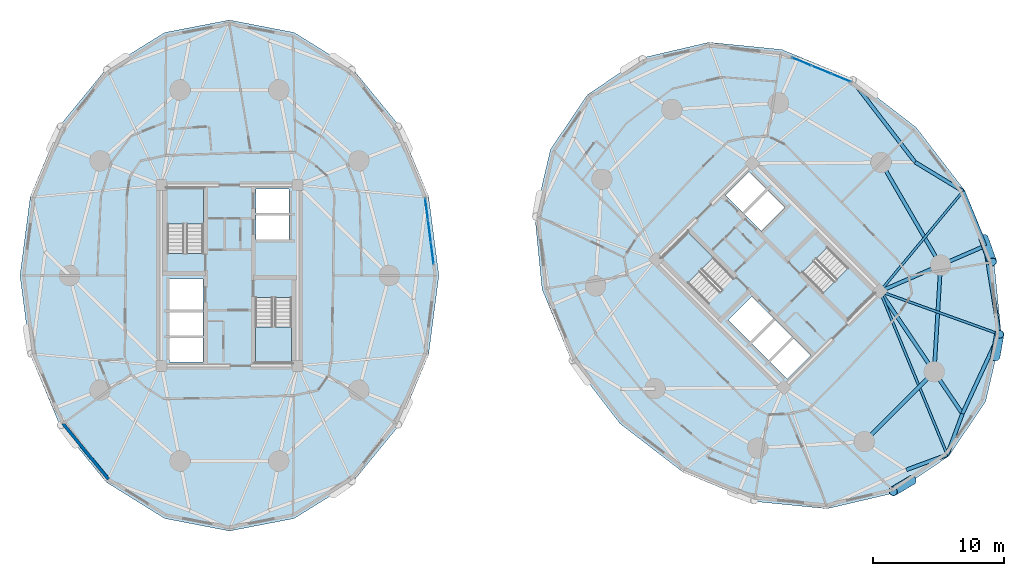
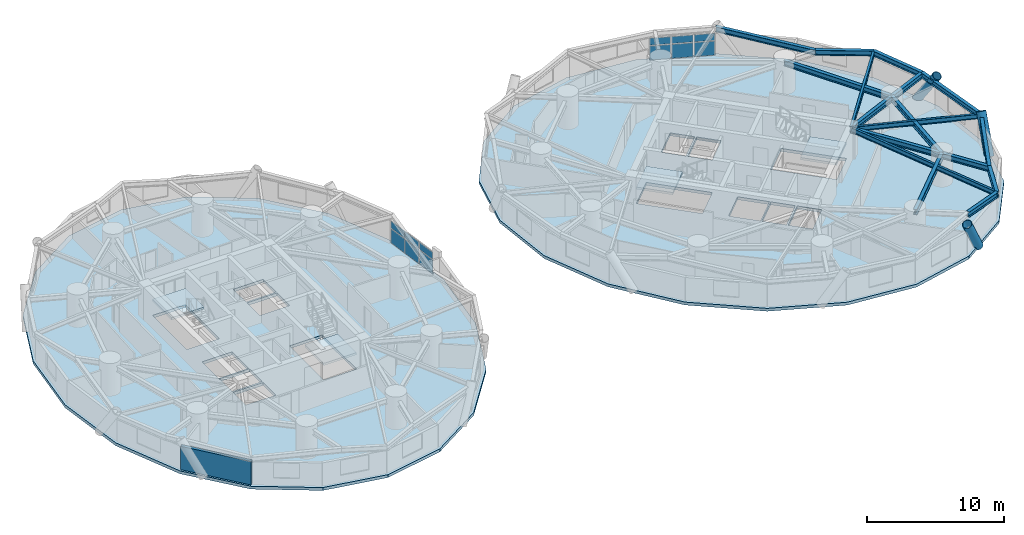
# One storey, part 7 of 16: 15 beams, 12 plates, 6 slabs, 3 members, 1 wall, 6 elements without a shape of their own.
"""IFC4 building model written with IfcOpenShell, lengths in metres."""

from ifc_helpers import new_model, si_unit, direction, frame, frame_2d, origin, origin_2d, place, context, subcontext, project, spatial, polyline, rectangle, hollow_circle, i_section, outline, extrude, source, transform, mapped, material, layer, layer_set, material_profile, profile_set, type_object, element, aggregate, save


model = new_model("IFC4")

# Units and contexts
model_context = context("Model", 3, precision=1e-05, world=origin(), true_north=direction((0.0, 1.0)))
body_context = subcontext(model_context, "Body", "Model", "MODEL_VIEW")
ifc_project = project(units=[si_unit("LENGTHUNIT", "METRE"), si_unit("AREAUNIT", "SQUARE_METRE"), si_unit("VOLUMEUNIT", "CUBIC_METRE"), si_unit("PLANEANGLEUNIT", "RADIAN"), si_unit("MASSUNIT", "GRAM", prefix="KILO")], contexts=[model_context])

# Site, building, storey
site_placement = place(None, origin())
site = spatial("IfcSite", under=ifc_project, at=site_placement, CompositionType="ELEMENT")
building_placement = place(site_placement, origin())
building = spatial("IfcBuilding", under=site, at=building_placement, Name="Cununo Teusaquillo Station Towers", CompositionType="ELEMENT")
storey_placement = place(building_placement, frame((0.0, 0.0, 62.739990234375)))
storey = spatial("IfcBuildingStorey", under=building, at=storey_placement, Name="L19", CompositionType="ELEMENT", Elevation=62.739990234375)

# Beams
ifc_material_1 = material(Name="Steel ASTM A572 Grade 50", Category="steel")
ifc_material_profile_1 = material_profile(ifc_material_1, i_section(OverallWidth=0.180908203125, OverallDepth=0.4169921875, WebThickness=0.010986328125, FlangeThickness=0.018310546875, FilletRadius=0.012939453125, at=origin_2d()), Name="W16X57")
ifc_profile_set_1 = profile_set([ifc_material_profile_1], Name="Steel ASTM A572 Grade 50")
beam_type_1 = type_object("IfcBeamType", Name="BM-JOIST-1", PredefinedType="JOIST", material=ifc_profile_set_1)
beam_1_placement = place(storey_placement, frame((66.024169921875, 23.29443359375, 2.361572265625), z_axis=(0.380485864505, -0.924786735908, 0.0), x_axis=(0.924786735908, 0.380485864505, 0.0)))
element("IfcBeam", 1, at=beam_1_placement, inside=storey, type_object=beam_type_1, Name="L19 Tower B Radial Spandrel Joist V15", PredefinedType="JOIST", context=body_context, shape_type="SweptSolid", body=[
    extrude(i_section(OverallWidth=0.180908203125, OverallDepth=0.4169921875, WebThickness=0.010986328125, FlangeThickness=0.018310546875, FilletRadius=0.012939453125, at=origin_2d()), origin(), (0.0, 0.0, 1.0), 13.44580078125),
])
beam_2_placement = place(storey_placement, frame((66.024169921875, 23.29443359375, 2.361572265625), z_axis=(0.941082771055, -0.338176312038, 0.0), x_axis=(0.338176312038, 0.941082771055, 0.0)))
element("IfcBeam", 2, at=beam_2_placement, inside=storey, type_object=beam_type_1, Name="L19 Tower B Radial Spandrel Joist V17", PredefinedType="JOIST", context=body_context, shape_type="SweptSolid", body=[
    extrude(i_section(OverallWidth=0.180908203125, OverallDepth=0.4169921875, WebThickness=0.010986328125, FlangeThickness=0.018310546875, FilletRadius=0.012939453125, at=origin_2d()), origin(), (0.0, 0.0, 1.0), 9.646484375),
])
beam_3_placement = place(storey_placement, frame((66.024169921875, 23.29443359375, 2.361572265625), z_axis=(0.638372238196, 0.769727799615, 0.0), x_axis=(-0.769727799615, 0.638372238196, 0.0)))
element("IfcBeam", 3, at=beam_3_placement, inside=storey, type_object=beam_type_1, Name="L19 Tower B Radial Spandrel Joist V19", PredefinedType="JOIST", context=body_context, shape_type="SweptSolid", body=[
    extrude(i_section(OverallWidth=0.180908203125, OverallDepth=0.4169921875, WebThickness=0.010986328125, FlangeThickness=0.018310546875, FilletRadius=0.012939453125, at=origin_2d()), origin(), (0.0, 0.0, 1.0), 9.895263671875),
])
ifc_material_2 = material(Name="Steel ASTM A572 Grade 50", Category="steel")
ifc_material_profile_2 = material_profile(ifc_material_2, i_section(OverallWidth=0.280029296875, OverallDepth=0.462890625, WebThickness=0.0107421875, FlangeThickness=0.017333984375, FilletRadius=0.013916015625, at=origin_2d()), Name="W18X76")
ifc_profile_set_2 = profile_set([ifc_material_profile_2], Name="Steel ASTM A572 Grade 50")
beam_type_2 = type_object("IfcBeamType", Name="BM-RAD-G1", PredefinedType="BEAM", material=ifc_profile_set_2)
beam_4_placement = place(storey_placement, frame((66.024169921875, 23.29443359375, 2.338623046875), z_axis=(0.558572297481, -0.82945583878, 0.0), x_axis=(0.82945583878, 0.558572297481, 0.0)))
element("IfcBeam", 4, at=beam_4_placement, inside=storey, type_object=beam_type_2, Name="L19 Tower B Continuous Overhanging Radial Girder 09", PredefinedType="BEAM", context=body_context, shape_type="SweptSolid", body=[
    extrude(i_section(OverallWidth=0.280029296875, OverallDepth=0.462890625, WebThickness=0.0107421875, FlangeThickness=0.017333984375, FilletRadius=0.013916015625, at=origin_2d()), origin(), (0.0, 0.0, 1.0), 11.22998046875),
])
beam_5_placement = place(storey_placement, frame((66.024169921875, 23.29443359375, 2.338623046875), z_axis=(0.917654733344, 0.397378648609, 0.0), x_axis=(-0.397378648609, 0.917654733344, 0.0)))
element("IfcBeam", 5, at=beam_5_placement, inside=storey, type_object=beam_type_2, Name="L19 Tower B Continuous Overhanging Radial Girder 10", PredefinedType="BEAM", context=body_context, shape_type="SweptSolid", body=[
    extrude(i_section(OverallWidth=0.280029296875, OverallDepth=0.462890625, WebThickness=0.0107421875, FlangeThickness=0.017333984375, FilletRadius=0.013916015625, at=origin_2d()), origin(), (0.0, 0.0, 1.0), 8.71484375),
])
ifc_material_3 = material(Name="Steel ASTM A572 Grade 50", Category="steel")
ifc_material_profile_3 = material_profile(ifc_material_3, i_section(OverallWidth=0.280029296875, OverallDepth=0.462890625, WebThickness=0.0107421875, FlangeThickness=0.017333984375, FilletRadius=0.013916015625, at=origin_2d()), Name="W18X76")
ifc_profile_set_3 = profile_set([ifc_material_profile_3], Name="Steel ASTM A572 Grade 50")
beam_type_3 = type_object("IfcBeamType", Name="BM-RING-Z2", PredefinedType="SPANDREL", material=ifc_profile_set_3)
beam_6_placement = place(storey_placement, frame((64.826904296875, 11.853759765625, 2.338623046875), z_axis=(0.707106781187, 0.707106781187, 0.0), x_axis=(-0.707106781187, 0.707106781187, 0.0)))
element("IfcBeam", 6, at=beam_6_placement, inside=storey, type_object=beam_type_3, Name="L19 Tower B Structural Column Ring Girder 08", PredefinedType="SPANDREL", context=body_context, shape_type="SweptSolid", body=[
    extrude(i_section(OverallWidth=0.280029296875, OverallDepth=0.462890625, WebThickness=0.0107421875, FlangeThickness=0.017333984375, FilletRadius=0.013916015625, at=origin_2d()), origin(), (0.0, 0.0, 1.0), 7.522705078125),
])
beam_7_placement = place(storey_placement, frame((70.146240234375, 17.173095703125, 2.338623046875), z_axis=(0.06012979176, 0.998190567048, 0.0), x_axis=(-0.998190567048, 0.06012979176, 0.0)))
element("IfcBeam", 7, at=beam_7_placement, inside=storey, type_object=beam_type_3, Name="L19 Tower B Structural Column Ring Girder 09", PredefinedType="SPANDREL", context=body_context, shape_type="SweptSolid", body=[
    extrude(i_section(OverallWidth=0.280029296875, OverallDepth=0.462890625, WebThickness=0.0107421875, FlangeThickness=0.017333984375, FilletRadius=0.013916015625, at=origin_2d()), origin(), (0.0, 0.0, 1.0), 8.132568359375),
])
beam_8_placement = place(storey_placement, frame((70.63525390625, 25.291015625, 2.338623046875), z_axis=(-0.501311121078, 0.865267103202, 0.0), x_axis=(-0.865267103202, -0.501311121078, 0.0)))
element("IfcBeam", 8, at=beam_8_placement, inside=storey, type_object=beam_type_3, Name="L19 Tower B Structural Column Ring Girder 10", PredefinedType="SPANDREL", context=body_context, shape_type="SweptSolid", body=[
    extrude(i_section(OverallWidth=0.280029296875, OverallDepth=0.462890625, WebThickness=0.0107421875, FlangeThickness=0.017333984375, FilletRadius=0.013916015625, at=origin_2d()), origin(), (0.0, 0.0, 1.0), 9.032958984375),
])
beam_9_placement = place(storey_placement, frame((68.694580078125, 33.12890625, 2.338623046875), z_axis=(-0.610100441726, 0.792324082056, 0.0), x_axis=(-0.792324082056, -0.610100441726, 0.0)))
element("IfcBeam", 9, at=beam_9_placement, inside=storey, type_object=beam_type_3, Name="L19 Tower B Spandrel Ring Beam 01", PredefinedType="SPANDREL", context=body_context, shape_type="SweptSolid", body=[
    extrude(i_section(OverallWidth=0.280029296875, OverallDepth=0.462890625, WebThickness=0.0107421875, FlangeThickness=0.017333984375, FilletRadius=0.013916015625, at=origin_2d()), origin(), (0.0, 0.0, 1.0), 7.84033203125),
])
for number, where, z_axis, x_axis, name in (
    (10, (68.020263671875, 9.703125, 2.338623046875), (0.937628334414, 0.347639333943, 0.0), (-0.347639333943, 0.937628334414, 0.0), "L19 Tower B Spandrel Ring Beam 15"),
    (11, (71.14013671875, 10.85986328125, 2.338623046875), (0.347639333943, 0.937628334414, 0.0), (-0.937628334414, 0.347639333943, 0.0), "L19 Tower B Spandrel Ring Beam 16"),
):
    element("IfcBeam", number, at=place(storey_placement, frame(where, z_axis=z_axis, x_axis=x_axis)), inside=storey, type_object=beam_type_3, Name=name, PredefinedType="SPANDREL", context=body_context, shape_type="SweptSolid", body=[
        extrude(i_section(OverallWidth=0.280029296875, OverallDepth=0.462890625, WebThickness=0.0107421875, FlangeThickness=0.017333984375, FilletRadius=0.013916015625, at=origin_2d()), origin(), (0.0, 0.0, 1.0), 3.327392578125),
    ])
beam_10_placement = place(storey_placement, frame((72.296875, 13.979736328125, 2.338623046875), z_axis=(0.420535961689, 0.907275870354, 0.0), x_axis=(-0.907275870354, 0.420535961689, 0.0)))
element("IfcBeam", 12, at=beam_10_placement, inside=storey, type_object=beam_type_3, Name="L19 Tower B Spandrel Ring Beam 17", PredefinedType="SPANDREL", context=body_context, shape_type="SweptSolid", body=[
    extrude(i_section(OverallWidth=0.280029296875, OverallDepth=0.462890625, WebThickness=0.0107421875, FlangeThickness=0.017333984375, FilletRadius=0.013916015625, at=origin_2d()), origin(), (0.0, 0.0, 1.0), 6.671142578125),
])
beam_11_placement = place(storey_placement, frame((75.102294921875, 20.0322265625, 2.338623046875), z_axis=(-0.158671232312, 0.987331474246, 0.0), x_axis=(-0.987331474246, -0.158671232312, 0.0)))
element("IfcBeam", 13, at=beam_11_placement, inside=storey, type_object=beam_type_3, Name="L19 Tower B Spandrel Ring Beam 18", PredefinedType="SPANDREL", context=body_context, shape_type="SweptSolid", body=[
    extrude(i_section(OverallWidth=0.280029296875, OverallDepth=0.462890625, WebThickness=0.0107421875, FlangeThickness=0.017333984375, FilletRadius=0.013916015625, at=origin_2d()), origin(), (0.0, 0.0, 1.0), 6.8115234375),
])
beam_12_placement = place(storey_placement, frame((74.021484375, 26.757568359375, 2.338623046875), z_axis=(-0.375042266631, 0.927007712072, 0.0), x_axis=(-0.927007712072, -0.375042266631, 0.0)))
element("IfcBeam", 14, at=beam_12_placement, inside=storey, type_object=beam_type_3, Name="L19 Tower B Spandrel Ring Beam 19", PredefinedType="SPANDREL", context=body_context, shape_type="SweptSolid", body=[
    extrude(i_section(OverallWidth=0.280029296875, OverallDepth=0.462890625, WebThickness=0.0107421875, FlangeThickness=0.017333984375, FilletRadius=0.013916015625, at=origin_2d()), origin(), (0.0, 0.0, 1.0), 4.480712890625),
])
beam_13_placement = place(storey_placement, frame((72.341064453125, 30.9111328125, 2.338623046875), z_axis=(-0.854388492444, 0.519634779416, 0.0), x_axis=(-0.519634779416, -0.854388492444, 0.0)))
element("IfcBeam", 15, at=beam_13_placement, inside=storey, type_object=beam_type_3, Name="L19 Tower B Spandrel Ring Beam 20", PredefinedType="SPANDREL", context=body_context, shape_type="SweptSolid", body=[
    extrude(i_section(OverallWidth=0.280029296875, OverallDepth=0.462890625, WebThickness=0.0107421875, FlangeThickness=0.017333984375, FilletRadius=0.013916015625, at=origin_2d()), origin(), (0.0, 0.0, 1.0), 4.26806640625),
])

# Members
ifc_material_4 = material(Name="Steel EN 10025-2 S355J2", Category="steel")
ifc_material_profile_4 = material_profile(ifc_material_4, hollow_circle(Radius=0.360107421875, WallThickness=0.028076171875, at=origin_2d()), Name="CHS 720x28")
ifc_profile_set_4 = profile_set([ifc_material_profile_4], Name="Steel EN 10025-2 S355J2")
member_type = type_object("IfcMemberType", Name="MBR-DIAG-Z1", PredefinedType="BRACE", material=ifc_profile_set_4)
member_1_placement = place(storey_placement, frame((68.44970703125, 8.9228515625, -0.139892578125), z_axis=(-0.426671512635, -0.25307441265, 0.868276892453), x_axis=(0.510148521719, -0.860086324614, 0.0)))
element("IfcMember", 16, at=member_1_placement, inside=storey, type_object=member_type, Name="L19 Tower B Folded-Zigzag Diagrid Tube C14", PredefinedType="BRACE", context=body_context, shape_type="SweptSolid", body=[
    extrude(hollow_circle(Radius=0.360107421875, WallThickness=0.028076171875, at=origin_2d()), origin(), (0.0, 0.0, 1.0), 3.351318359375),
])
member_2_placement = place(storey_placement, frame((74.79931640625, 18.31640625, -0.139892578125), z_axis=(0.089330193214, 0.505892504357, 0.857958559964), x_axis=(-0.984765215448, 0.173889247634, 0.0)))
element("IfcMember", 17, at=member_2_placement, inside=storey, type_object=member_type, Name="L19 Tower B Folded-Zigzag Diagrid Tube C16", PredefinedType="BRACE", context=body_context, shape_type="SweptSolid", body=[
    extrude(hollow_circle(Radius=0.360107421875, WallThickness=0.028076171875, at=origin_2d()), origin(), (0.0, 0.0, 1.0), 3.3916015625),
])
member_3_placement = place(storey_placement, frame((73.90283203125, 27.332763671875, -0.139892578125), z_axis=(0.187377689184, -0.519032000885, 0.833963658473), x_axis=(0.940583150485, 0.33956345066, 0.0)))
element("IfcMember", 18, at=member_3_placement, inside=storey, type_object=member_type, Name="L19 Tower B Folded-Zigzag Diagrid Tube C18", PredefinedType="BRACE", context=body_context, shape_type="SweptSolid", body=[
    extrude(hollow_circle(Radius=0.360107421875, WallThickness=0.028076171875, at=origin_2d()), origin(), (0.0, 0.0, 1.0), 3.4892578125),
])

# Stair, slab
ifc_material_5 = material(Name="Concrete C50/60", Category="concrete")
stair_type = type_object("IfcStairType", Name="ST-TWR-1300", PredefinedType="HALF_TURN_STAIR", material=ifc_material_5)
stair_1_placement = place(storey_placement, origin())
stair_1 = element("IfcStair", 19, at=stair_1_placement, inside=storey, type_object=stair_type, Name="L19 Tower A Protected Core Exit Stair 1", PredefinedType="HALF_TURN_STAIR")
ifc_material_6 = material(Name="Concrete C50/60", Category="concrete")
ifc_layer_1 = layer(ifc_material_6, 0.199951171875)
ifc_layer_set_1 = layer_set([ifc_layer_1], Name="Concrete C50/60")
slab_type_1 = type_object("IfcSlabType", Name="SLB-STAIR-LND", PredefinedType="LANDING", material=ifc_layer_set_1)
slab_1_placement = place(storey_placement, frame((0.0, 0.0, 1.255126953125)))
slab_1 = element("IfcSlab", 20, at=slab_1_placement, type_object=slab_type_1, Name="ST-T1-1 landing 1", PredefinedType="LANDING", context=body_context, shape_type="SweptSolid", body=[
    extrude(outline(polyline([(14.52001953125, 28.409912109375), (14.52001953125, 31.159912109375), (11.760009765625, 31.159912109375), (11.760009765625, 28.409912109375), (14.52001953125, 28.409912109375)])), origin(), (0.0, 0.0, 1.0), 0.199951171875),
])
aggregate(stair_1, [slab_1])

stair_2_placement = place(storey_placement, origin())
stair_2 = element("IfcStair", 21, at=stair_2_placement, inside=storey, type_object=stair_type, Name="L19 Tower A Protected Core Exit Stair 2", PredefinedType="HALF_TURN_STAIR")
slab_2_placement = place(storey_placement, frame((0.0, 0.0, 1.255126953125)))
slab_2 = element("IfcSlab", 22, at=slab_2_placement, type_object=slab_type_1, Name="ST-T1-2 landing 1", PredefinedType="LANDING", context=body_context, shape_type="SweptSolid", body=[
    extrude(outline(polyline([(18.47998046875, 20.590087890625), (18.47998046875, 17.840087890625), (21.239990234375, 17.840087890625), (21.239990234375, 20.590087890625), (18.47998046875, 20.590087890625)])), origin(), (0.0, 0.0, 1.0), 0.199951171875),
])
aggregate(stair_2, [slab_2])

stair_3_placement = place(storey_placement, origin())
stair_3 = element("IfcStair", 23, at=stair_3_placement, inside=storey, type_object=stair_type, Name="L19 Tower B Protected Core Exit Stair 1", PredefinedType="HALF_TURN_STAIR")
slab_3_placement = place(storey_placement, frame((0.0, 0.0, 1.255126953125)))
slab_3 = element("IfcSlab", 24, at=slab_3_placement, type_object=slab_type_1, Name="ST-T2-1 landing 1", PredefinedType="LANDING", context=body_context, shape_type="SweptSolid", body=[
    extrude(outline(polyline([(53.335205078125, 25.86474609375), (51.390625, 27.809326171875), (49.43896484375, 25.857666015625), (51.383544921875, 23.9130859375), (53.335205078125, 25.86474609375)])), origin(), (0.0, 0.0, 1.0), 0.199951171875),
])
aggregate(stair_3, [slab_3])

stair_4_placement = place(storey_placement, origin())
stair_4 = element("IfcStair", 25, at=stair_4_placement, inside=storey, type_object=stair_type, Name="L19 Tower B Protected Core Exit Stair 2", PredefinedType="HALF_TURN_STAIR")
slab_4_placement = place(storey_placement, frame((0.0, 0.0, 1.255126953125)))
slab_4 = element("IfcSlab", 26, at=slab_4_placement, type_object=slab_type_1, Name="ST-T2-2 landing 1", PredefinedType="LANDING", context=body_context, shape_type="SweptSolid", body=[
    extrude(outline(polyline([(61.664794921875, 23.13525390625), (63.609375, 21.190673828125), (65.56103515625, 23.142333984375), (63.616455078125, 25.0869140625), (61.664794921875, 23.13525390625)])), origin(), (0.0, 0.0, 1.0), 0.199951171875),
])
aggregate(stair_4, [slab_4])

# Slabs
ifc_material_7 = material(Name="Concrete C50/60", Category="concrete")
ifc_layer_2 = layer(ifc_material_7, 0.260009765625)
ifc_layer_set_2 = layer_set([ifc_layer_2], Name="Concrete C50/60")
slab_type_2 = type_object("IfcSlabType", Name="SLB-Z1-260", PredefinedType="FLOOR", material=ifc_layer_set_2)
slab_5_placement = place(storey_placement, frame((0.0, 0.0, -0.260009765625)))
element("IfcSlab", 27, at=slab_5_placement, inside=storey, type_object=slab_type_2, Name="L19 Tower A Floor Slab", PredefinedType="FLOOR", context=body_context, shape_type="SweptSolid", body=[
    extrude(outline(polyline([(32.443115234375, 24.5), (31.66259765625, 30.510498046875), (29.398193359375, 35.932373046875), (25.87109375, 40.2353515625), (21.4267578125, 42.998046875), (16.5, 43.949951171875), (11.5732421875, 42.998046875), (7.12890625, 40.2353515625), (3.601806640625, 35.932373046875), (1.33740234375, 30.510498046875), (0.556884765625, 24.5), (1.33740234375, 18.489501953125), (3.601806640625, 13.067626953125), (7.12890625, 8.7646484375), (11.5732421875, 6.001953125), (16.5, 5.050048828125), (21.4267578125, 6.001953125), (25.87109375, 8.7646484375), (29.398193359375, 13.067626953125), (31.66259765625, 18.489501953125), (32.443115234375, 24.5)]), holes=[polyline([(14.52001953125, 26.176025390625), (14.52001953125, 31.159912109375), (11.760009765625, 31.159912109375), (11.760009765625, 26.176025390625), (14.52001953125, 26.176025390625)]), polyline([(18.47998046875, 22.823974609375), (18.47998046875, 17.840087890625), (21.239990234375, 17.840087890625), (21.239990234375, 22.823974609375), (18.47998046875, 22.823974609375)]), polyline([(11.949951171875, 21.85009765625), (14.47998046875, 21.85009765625), (14.47998046875, 24.25), (11.949951171875, 24.25), (11.949951171875, 21.85009765625)]), polyline([(11.949951171875, 17.89990234375), (14.47998046875, 17.89990234375), (14.47998046875, 19.75), (11.949951171875, 19.75), (11.949951171875, 17.89990234375)]), polyline([(11.949951171875, 19.89990234375), (14.47998046875, 19.89990234375), (14.47998046875, 21.75), (11.949951171875, 21.75), (11.949951171875, 19.89990234375)]), polyline([(18.52001953125, 27.25), (21.050048828125, 27.25), (21.050048828125, 29.10009765625), (18.52001953125, 29.10009765625), (18.52001953125, 27.25)]), polyline([(18.52001953125, 29.25), (21.050048828125, 29.25), (21.050048828125, 31.10009765625), (18.52001953125, 31.10009765625), (18.52001953125, 29.25)])]), origin(), (0.0, 0.0, 1.0), 0.260009765625),
])
slab_6_placement = place(storey_placement, frame((0.0, 0.0, -0.260009765625)))
element("IfcSlab", 28, at=slab_6_placement, inside=storey, type_object=slab_type_2, Name="L19 Tower B Floor Slab", PredefinedType="FLOOR", context=body_context, shape_type="SweptSolid", body=[
    extrude(outline(polyline([(68.7734375, 35.7734375), (63.9716796875, 39.4716796875), (58.53662109375, 41.704345703125), (52.999755859375, 42.2529296875), (47.903564453125, 41.063720703125), (43.746826171875, 38.253173828125), (40.936279296875, 34.096435546875), (39.7470703125, 29.000244140625), (40.295654296875, 23.46337890625), (42.5283203125, 18.0283203125), (46.2265625, 13.2265625), (51.0283203125, 9.5283203125), (56.46337890625, 7.295654296875), (62.000244140625, 6.7470703125), (67.096435546875, 7.936279296875), (71.253173828125, 10.746826171875), (74.063720703125, 14.903564453125), (75.2529296875, 19.999755859375), (74.704345703125, 25.53662109375), (72.4716796875, 30.9716796875), (68.7734375, 35.7734375)]), holes=[polyline([(54.914794921875, 24.28515625), (51.390625, 27.809326171875), (49.43896484375, 25.857666015625), (52.963134765625, 22.33349609375), (54.914794921875, 24.28515625)]), polyline([(60.085205078125, 24.71484375), (63.609375, 21.190673828125), (65.56103515625, 23.142333984375), (62.036865234375, 26.66650390625), (60.085205078125, 24.71484375)]), polyline([(56.156494140625, 19.40869140625), (57.945556640625, 21.19775390625), (56.248291015625, 22.89501953125), (54.45947265625, 21.10595703125), (56.156494140625, 19.40869140625)]), polyline([(58.94970703125, 16.61572265625), (60.738525390625, 18.40478515625), (59.430419921875, 19.712890625), (57.641357421875, 17.923828125), (58.94970703125, 16.61572265625)]), polyline([(57.535400390625, 18.030029296875), (59.32421875, 19.819091796875), (58.01611328125, 21.127197265625), (56.227294921875, 19.338134765625), (57.535400390625, 18.030029296875)]), polyline([(56.98388671875, 27.872802734375), (58.772705078125, 29.661865234375), (57.464599609375, 30.969970703125), (55.67578125, 29.180908203125), (56.98388671875, 27.872802734375)]), polyline([(55.569580078125, 29.287109375), (57.358642578125, 31.076171875), (56.05029296875, 32.38427734375), (54.261474609375, 30.59521484375), (55.569580078125, 29.287109375)])]), origin(), (0.0, 0.0, 1.0), 0.260009765625),
])

# Curtain wall, plates
ifc_material_8 = material(Name="Operable acoustic tinted low-E double glazing", Category="glass")
ifc_layer_3 = layer(ifc_material_8, 0.179931640625)
ifc_layer_set_3 = layer_set([ifc_layer_3], Name="Operable acoustic tinted low-E double glazing")
curtain_wall_type = type_object("IfcCurtainWallType", Name="CW-SYS-03", PredefinedType="USERDEFINED", material=ifc_layer_set_3)
curtain_wall_1_placement = place(storey_placement, origin())
curtain_wall_1 = element("IfcCurtainWall", 29, at=curtain_wall_1_placement, inside=storey, type_object=curtain_wall_type, Name="L19 Tower A Facade Curtain Wall C00", ObjectType="OPERABLE GLAZING", PredefinedType="USERDEFINED")
ifc_material_9 = material(Name="Operable acoustic tinted low-E double glazing", Category="glass")
ifc_layer_4 = layer(ifc_material_9, 0.031982421875)
ifc_layer_set_4 = layer_set([ifc_layer_4], Name="Operable acoustic tinted low-E double glazing")
plate_type = type_object("IfcPlateType", Name="CWP-OPER-32", PredefinedType="CURTAIN_PANEL", material=ifc_layer_set_4)
shared_shape_1 = source(origin(), body_context, "Body", "SweptSolid", [
    extrude(rectangle(XDim=1.602783203125, YDim=0.031982421875, at=origin_2d()), origin(), (0.0, 0.0, 1.0), 1.24609375),
])
plate_1_placement = place(storey_placement, frame((31.50830078125, 29.559814453125, 0.070068359375), z_axis=(0.0, 0.0, 1.0), x_axis=(0.128336112783, -0.99173073067, 0.0)))
plate_1 = element("IfcPlate", 30, at=plate_1_placement, type_object=plate_type, Name="CW-03 panel 1.1", PredefinedType="CURTAIN_PANEL", context=body_context, shape_type="MappedRepresentation", body=[
    mapped(shared_shape_1, transform((0.0, 0.0, 0.0), x_axis=(1.0, 0.0, 0.0), y_axis=(0.0, 1.0, 0.0), z_axis=(0.0, 0.0, 1.0), scale=1.0)),
])
plate_2_placement = place(storey_placement, frame((31.942138671875, 26.207275390625, 0.070068359375), z_axis=(0.0, 0.0, 1.0), x_axis=(0.128336112783, -0.99173073067, 0.0)))
plate_2 = element("IfcPlate", 31, at=plate_2_placement, type_object=plate_type, Name="CW-03 panel 3.1", PredefinedType="CURTAIN_PANEL", context=body_context, shape_type="MappedRepresentation", body=[
    mapped(shared_shape_1, transform((0.0, 0.0, 0.0), x_axis=(1.0, 0.0, 0.0), y_axis=(0.0, 1.0, 0.0), z_axis=(0.0, 0.0, 1.0), scale=1.0)),
])
shared_shape_2 = source(origin(), body_context, "Body", "SweptSolid", [
    extrude(rectangle(XDim=1.602783203125, YDim=0.031982421875, at=origin_2d()), origin(), (0.0, 0.0, 1.0), 0.623046875),
])
plate_3_placement = place(storey_placement, frame((31.50830078125, 29.559814453125, 1.385986328125), z_axis=(0.0, 0.0, 1.0), x_axis=(0.128336112783, -0.99173073067, 0.0)))
plate_3 = element("IfcPlate", 32, at=plate_3_placement, type_object=plate_type, Name="CW-03 panel 1.2", PredefinedType="CURTAIN_PANEL", context=body_context, shape_type="MappedRepresentation", body=[
    mapped(shared_shape_2, transform((0.0, 0.0, 0.0), x_axis=(1.0, 0.0, 0.0), y_axis=(0.0, 1.0, 0.0), z_axis=(0.0, 0.0, 1.0), scale=1.0)),
])
plate_4_placement = place(storey_placement, frame((31.942138671875, 26.207275390625, 1.385986328125), z_axis=(0.0, 0.0, 1.0), x_axis=(0.128336112783, -0.99173073067, 0.0)))
plate_4 = element("IfcPlate", 33, at=plate_4_placement, type_object=plate_type, Name="CW-03 panel 3.2", PredefinedType="CURTAIN_PANEL", context=body_context, shape_type="MappedRepresentation", body=[
    mapped(shared_shape_2, transform((0.0, 0.0, 0.0), x_axis=(1.0, 0.0, 0.0), y_axis=(0.0, 1.0, 0.0), z_axis=(0.0, 0.0, 1.0), scale=1.0)),
])
shared_shape_3 = source(origin(), body_context, "Body", "SweptSolid", [
    extrude(rectangle(XDim=1.6376953125, YDim=0.031982421875, at=origin_2d()), origin(), (0.0, 0.0, 1.0), 1.24609375),
])
plate_5_placement = place(storey_placement, frame((31.72509765625, 27.883544921875, 0.070068359375), z_axis=(0.0, 0.0, 1.0), x_axis=(0.128336112783, -0.99173073067, 0.0)))
plate_5 = element("IfcPlate", 34, at=plate_5_placement, type_object=plate_type, Name="CW-03 panel 2.1", PredefinedType="CURTAIN_PANEL", context=body_context, shape_type="MappedRepresentation", body=[
    mapped(shared_shape_3, transform((0.0, 0.0, 0.0), x_axis=(1.0, 0.0, 0.0), y_axis=(0.0, 1.0, 0.0), z_axis=(0.0, 0.0, 1.0), scale=1.0)),
])
shared_shape_4 = source(origin(), body_context, "Body", "SweptSolid", [
    extrude(rectangle(XDim=1.6376953125, YDim=0.031982421875, at=origin_2d()), origin(), (0.0, 0.0, 1.0), 0.623046875),
])
plate_6_placement = place(storey_placement, frame((31.72509765625, 27.883544921875, 1.385986328125), z_axis=(0.0, 0.0, 1.0), x_axis=(0.128336112783, -0.99173073067, 0.0)))
plate_6 = element("IfcPlate", 35, at=plate_6_placement, type_object=plate_type, Name="CW-03 panel 2.2", PredefinedType="CURTAIN_PANEL", context=body_context, shape_type="MappedRepresentation", body=[
    mapped(shared_shape_4, transform((0.0, 0.0, 0.0), x_axis=(1.0, 0.0, 0.0), y_axis=(0.0, 1.0, 0.0), z_axis=(0.0, 0.0, 1.0), scale=1.0)),
])
aggregate(curtain_wall_1, [plate_1, plate_3, plate_5, plate_6, plate_2, plate_4])

curtain_wall_2_placement = place(storey_placement, origin())
curtain_wall_2 = element("IfcCurtainWall", 36, at=curtain_wall_2_placement, inside=storey, type_object=curtain_wall_type, Name="L19 Tower B Facade Curtain Wall C01", ObjectType="OPERABLE GLAZING", PredefinedType="USERDEFINED")
shared_shape_5 = source(origin(), body_context, "Body", "SweptSolid", [
    extrude(rectangle(XDim=1.541259765625, YDim=0.031982421875, at=origin_2d()), origin(), (0.0, 0.0, 1.0), 1.24609375),
])
plate_7_placement = place(storey_placement, frame((60.0556640625, 40.783447265625, 0.070068359375), z_axis=(0.0, 0.0, 1.0), x_axis=(0.924572384299, -0.381006438517, 0.0)))
plate_7 = element("IfcPlate", 37, at=plate_7_placement, type_object=plate_type, Name="CW-03 panel 1.1", PredefinedType="CURTAIN_PANEL", context=body_context, shape_type="MappedRepresentation", body=[
    mapped(shared_shape_5, transform((0.0, 0.0, 0.0), x_axis=(1.0, 0.0, 0.0), y_axis=(0.0, 1.0, 0.0), z_axis=(0.0, 0.0, 1.0), scale=1.0)),
])
plate_8_placement = place(storey_placement, frame((63.0673828125, 39.54248046875, 0.070068359375), z_axis=(0.0, 0.0, 1.0), x_axis=(0.924572384299, -0.381006438517, 0.0)))
plate_8 = element("IfcPlate", 38, at=plate_8_placement, type_object=plate_type, Name="CW-03 panel 3.1", PredefinedType="CURTAIN_PANEL", context=body_context, shape_type="MappedRepresentation", body=[
    mapped(shared_shape_5, transform((0.0, 0.0, 0.0), x_axis=(1.0, 0.0, 0.0), y_axis=(0.0, 1.0, 0.0), z_axis=(0.0, 0.0, 1.0), scale=1.0)),
])
shared_shape_6 = source(origin(), body_context, "Body", "SweptSolid", [
    extrude(rectangle(XDim=1.541259765625, YDim=0.031982421875, at=origin_2d()), origin(), (0.0, 0.0, 1.0), 0.623046875),
])
plate_9_placement = place(storey_placement, frame((60.0556640625, 40.783447265625, 1.385986328125), z_axis=(0.0, 0.0, 1.0), x_axis=(0.924572384299, -0.381006438517, 0.0)))
plate_9 = element("IfcPlate", 39, at=plate_9_placement, type_object=plate_type, Name="CW-03 panel 1.2", PredefinedType="CURTAIN_PANEL", context=body_context, shape_type="MappedRepresentation", body=[
    mapped(shared_shape_6, transform((0.0, 0.0, 0.0), x_axis=(1.0, 0.0, 0.0), y_axis=(0.0, 1.0, 0.0), z_axis=(0.0, 0.0, 1.0), scale=1.0)),
])
plate_10_placement = place(storey_placement, frame((63.0673828125, 39.54248046875, 1.385986328125), z_axis=(0.0, 0.0, 1.0), x_axis=(0.924572384299, -0.381006438517, 0.0)))
plate_10 = element("IfcPlate", 40, at=plate_10_placement, type_object=plate_type, Name="CW-03 panel 3.2", PredefinedType="CURTAIN_PANEL", context=body_context, shape_type="MappedRepresentation", body=[
    mapped(shared_shape_6, transform((0.0, 0.0, 0.0), x_axis=(1.0, 0.0, 0.0), y_axis=(0.0, 1.0, 0.0), z_axis=(0.0, 0.0, 1.0), scale=1.0)),
])
shared_shape_7 = source(origin(), body_context, "Body", "SweptSolid", [
    extrude(rectangle(XDim=1.576171875, YDim=0.031982421875, at=origin_2d()), origin(), (0.0, 0.0, 1.0), 1.24609375),
])
plate_11_placement = place(storey_placement, frame((61.5615234375, 40.1630859375, 0.070068359375), z_axis=(0.0, 0.0, 1.0), x_axis=(0.924572384299, -0.381006438517, 0.0)))
plate_11 = element("IfcPlate", 41, at=plate_11_placement, type_object=plate_type, Name="CW-03 panel 2.1", PredefinedType="CURTAIN_PANEL", context=body_context, shape_type="MappedRepresentation", body=[
    mapped(shared_shape_7, transform((0.0, 0.0, 0.0), x_axis=(1.0, 0.0, 0.0), y_axis=(0.0, 1.0, 0.0), z_axis=(0.0, 0.0, 1.0), scale=1.0)),
])
shared_shape_8 = source(origin(), body_context, "Body", "SweptSolid", [
    extrude(rectangle(XDim=1.576171875, YDim=0.031982421875, at=origin_2d()), origin(), (0.0, 0.0, 1.0), 0.623046875),
])
plate_12_placement = place(storey_placement, frame((61.5615234375, 40.1630859375, 1.385986328125), z_axis=(0.0, 0.0, 1.0), x_axis=(0.924572384299, -0.381006438517, 0.0)))
plate_12 = element("IfcPlate", 42, at=plate_12_placement, type_object=plate_type, Name="CW-03 panel 2.2", PredefinedType="CURTAIN_PANEL", context=body_context, shape_type="MappedRepresentation", body=[
    mapped(shared_shape_8, transform((0.0, 0.0, 0.0), x_axis=(1.0, 0.0, 0.0), y_axis=(0.0, 1.0, 0.0), z_axis=(0.0, 0.0, 1.0), scale=1.0)),
])
aggregate(curtain_wall_2, [plate_7, plate_9, plate_11, plate_12, plate_8, plate_10])

# Wall
ifc_material_10 = material(Name="Precast concrete C40/50", Category="concrete")
ifc_layer_5 = layer(ifc_material_10, 0.239990234375)
ifc_layer_set_5 = layer_set([ifc_layer_5], Name="Precast concrete C40/50")
wall_type = type_object("IfcWallType", Name="WL-EXT-240", PredefinedType="SOLIDWALL", material=ifc_layer_set_5)
wall_placement = place(storey_placement, frame((7.29345703125, 8.9912109375, 0.0), z_axis=(0.0, 0.0, 1.0), x_axis=(-0.632713287022, 0.77438614168, 0.0)))
element("IfcWall", 43, at=wall_placement, inside=storey, type_object=wall_type, Name="L19 Tower A Exterior Facade Wall C12", PredefinedType="SOLIDWALL", context=body_context, shape_type="SweptSolid", body=[
    extrude(rectangle(XDim=5.4765625, YDim=0.239990234375, at=frame_2d((2.73828125, 0.0))), origin(), (0.0, 0.0, 1.0), 2.0791015625),
])

save(model, "model.ifc")
